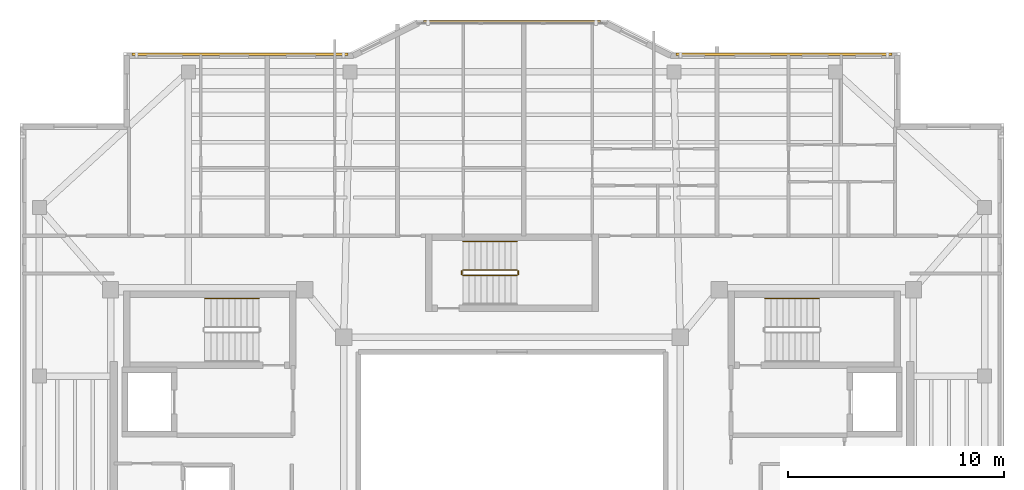
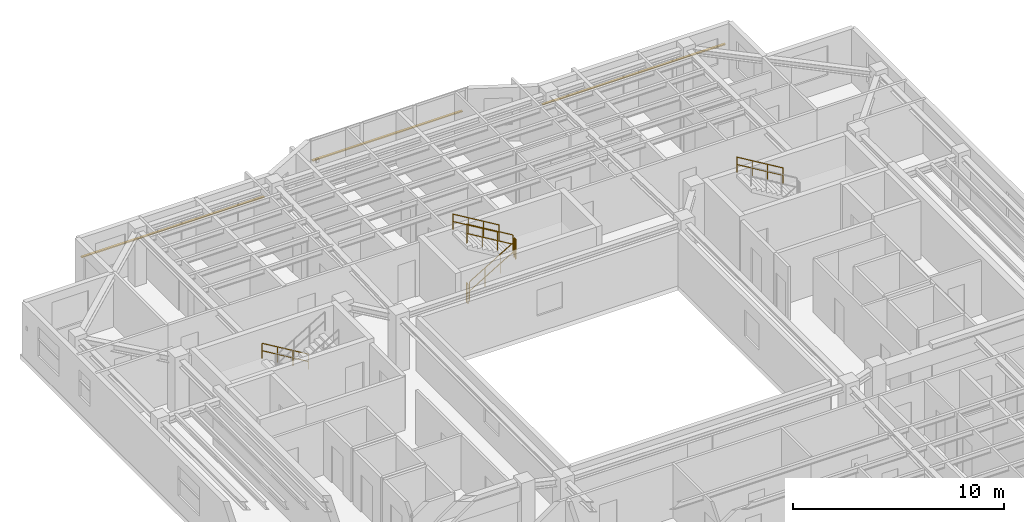
# One storey, part 14 of 14: 7 railings, 3 shading devices.
"""IFC4 building model written with IfcOpenShell, lengths in metres."""

from ifc_helpers import new_model, si_unit, direction, frame, origin, origin_2d, place, context, subcontext, project, spatial, rectangle, circle, extrude, material, material_profile, profile_set, type_object, element, save


model = new_model("IFC4")

# Units and contexts
model_context = context("Model", 3, precision=1e-05, world=origin(), true_north=direction((0.0, 1.0)))
body_context = subcontext(model_context, "Body", "Model", "MODEL_VIEW")
ifc_project = project(units=[si_unit("LENGTHUNIT", "METRE"), si_unit("AREAUNIT", "SQUARE_METRE"), si_unit("VOLUMEUNIT", "CUBIC_METRE"), si_unit("PLANEANGLEUNIT", "RADIAN"), si_unit("MASSUNIT", "GRAM", prefix="KILO")], contexts=[model_context])

# Site, building, storey
site_placement = place(None, origin())
site = spatial("IfcSite", under=ifc_project, at=site_placement, CompositionType="ELEMENT")
building_placement = place(site_placement, origin())
building = spatial("IfcBuilding", under=site, at=building_placement, Name="Tarnavaz Court Tower", CompositionType="ELEMENT")
storey_placement = place(building_placement, frame((0.0, 0.0, 261.60009765625)))
storey = spatial("IfcBuildingStorey", under=building, at=storey_placement, Name="L71", CompositionType="ELEMENT", Elevation=261.60009765625)

# Railings
ifc_material_1 = material(Name="Brushed Stainless Steel", Category="steel")
railing_type_1 = type_object("IfcRailingType", Name="RL-HANDRAIL-900", PredefinedType="HANDRAIL", material=ifc_material_1)
railing_1_placement = place(storey_placement, frame((-11.719970703125, 9.590087890625, 0.16748046875)))
element("IfcRailing", 1, at=railing_1_placement, inside=storey, type_object=railing_type_1, Name="L71 ST-W1 stair handrail 1", PredefinedType="HANDRAIL", context=body_context, shape_type="SweptSolid", body=[
    extrude(circle(Radius=0.02392578125, at=origin_2d()), frame((0.0, 0.0, 0.8759765625), z_axis=(-0.858196387827, 0.0, 0.513321497621), x_axis=(0.0, -1.0, 0.0)), (0.0, 0.0, 1.0), 2.9365234375),
    extrude(circle(Radius=0.02392578125, at=origin_2d()), frame((0.0, 0.0, 0.449951171875), z_axis=(-0.858196387827, 0.0, 0.513321497621), x_axis=(0.0, -1.0, 0.0)), (0.0, 0.0, 1.0), 2.9365234375),
    extrude(circle(Radius=0.02099609375, at=origin_2d()), origin(), (0.0, 0.0, 1.0), 0.851806640625),
    extrude(circle(Radius=0.02099609375, at=origin_2d()), frame((-0.840087890625, 0.0, 0.50244140625)), (0.0, 0.0, 1.0), 0.851806640625),
    extrude(circle(Radius=0.02099609375, at=origin_2d()), frame((-1.679931640625, 0.0, 1.0048828125)), (0.0, 0.0, 1.0), 0.851806640625),
    extrude(circle(Radius=0.02099609375, at=origin_2d()), frame((-2.52001953125, 0.0, 1.50732421875)), (0.0, 0.0, 1.0), 0.851806640625),
])
for number, where, name in (
    (2, (14.239990234375, 9.590087890625, 1.84228515625), "L71 ST-E1 stair handrail 2"),
    (3, (0.239990234375, 12.239990234375, 1.84228515625), "L71 ST-N1 stair handrail 2"),
):
    element("IfcRailing", number, at=place(storey_placement, frame(where)), inside=storey, type_object=railing_type_1, Name=name, PredefinedType="HANDRAIL", context=body_context, shape_type="SweptSolid", body=[
        extrude(circle(Radius=0.02392578125, at=origin_2d()), frame((0.0, 0.0, 0.8759765625), z_axis=(-0.858159760407, 0.0, 0.513382728203), x_axis=(0.0, -1.0, 0.0)), (0.0, 0.0, 1.0), 2.9365234375),
        extrude(circle(Radius=0.02392578125, at=origin_2d()), frame((0.0, 0.0, 0.449951171875), z_axis=(-0.858159760407, 0.0, 0.513382728203), x_axis=(0.0, -1.0, 0.0)), (0.0, 0.0, 1.0), 2.9365234375),
        extrude(circle(Radius=0.02099609375, at=origin_2d()), origin(), (0.0, 0.0, 1.0), 0.851806640625),
        extrude(circle(Radius=0.02099609375, at=origin_2d()), frame((-0.840087890625, 0.0, 0.50244140625)), (0.0, 0.0, 1.0), 0.851806640625),
        extrude(circle(Radius=0.02099609375, at=origin_2d()), frame((-1.679931640625, 0.0, 1.005126953125)), (0.0, 0.0, 1.0), 0.851806640625),
        extrude(circle(Radius=0.02099609375, at=origin_2d()), frame((-2.52001953125, 0.0, 1.507568359375)), (0.0, 0.0, 1.0), 0.851806640625),
    ])
ifc_material_2 = material(Name="Galvanized Painted Tubular Steel", Category="steel")
railing_type_2 = type_object("IfcRailingType", Name="RL-STGUARD-1120", PredefinedType="GUARDRAIL", material=ifc_material_2)
railing_2_placement = place(storey_placement, frame((-2.280029296875, 10.669921875, 0.16748046875)))
element("IfcRailing", 4, at=railing_2_placement, inside=storey, type_object=railing_type_2, Name="L71 ST-N1 stair guard 1", PredefinedType="GUARDRAIL", context=body_context, shape_type="SweptSolid", body=[
    extrude(circle(Radius=0.02392578125, at=origin_2d()), frame((0.0, 0.0, 1.09619140625), z_axis=(0.858196387827, 0.0, 0.513321497621), x_axis=(0.0, 1.0, 0.0)), (0.0, 0.0, 1.0), 2.9365234375),
    extrude(circle(Radius=0.02392578125, at=origin_2d()), frame((0.0, 0.0, 0.56005859375), z_axis=(0.858196387827, 0.0, 0.513321497621), x_axis=(0.0, 1.0, 0.0)), (0.0, 0.0, 1.0), 2.9365234375),
    extrude(circle(Radius=0.02099609375, at=origin_2d()), origin(), (0.0, 0.0, 1.0), 1.072021484375),
    extrude(circle(Radius=0.02099609375, at=origin_2d()), frame((0.840087890625, 0.0, 0.50244140625)), (0.0, 0.0, 1.0), 1.072021484375),
    extrude(circle(Radius=0.02099609375, at=origin_2d()), frame((1.679931640625, 0.0, 1.0048828125)), (0.0, 0.0, 1.0), 1.072021484375),
    extrude(circle(Radius=0.02099609375, at=origin_2d()), frame((2.52001953125, 0.0, 1.50732421875)), (0.0, 0.0, 1.0), 1.072021484375),
])
railing_3_placement = place(storey_placement, frame((0.2900390625, 10.719970703125, 1.6748046875)))
element("IfcRailing", 5, at=railing_3_placement, inside=storey, type_object=railing_type_2, Name="L71 ST-N1 stair guard 2", PredefinedType="GUARDRAIL", context=body_context, shape_type="SweptSolid", body=[
    extrude(circle(Radius=0.02392578125, at=origin_2d()), frame((0.0, 0.0, 1.09619140625), z_axis=(0.0, 1.0, 0.0), x_axis=(-1.0, 0.0, 0.0)), (0.0, 0.0, 1.0), 0.150146484375),
    extrude(circle(Radius=0.02392578125, at=origin_2d()), frame((0.0, 0.0, 0.56005859375), z_axis=(0.0, 1.0, 0.0), x_axis=(-1.0, 0.0, 0.0)), (0.0, 0.0, 1.0), 0.150146484375),
    extrude(circle(Radius=0.02099609375, at=origin_2d()), origin(), (0.0, 0.0, 1.0), 1.072021484375),
    extrude(circle(Radius=0.02099609375, at=origin_2d()), frame((0.0, 0.150146484375, 0.0)), (0.0, 0.0, 1.0), 1.072021484375),
])
railing_4_placement = place(storey_placement, frame((0.239990234375, 10.919921875, 1.84228515625)))
element("IfcRailing", 6, at=railing_4_placement, inside=storey, type_object=railing_type_2, Name="L71 ST-N1 stair guard 3", PredefinedType="GUARDRAIL", context=body_context, shape_type="SweptSolid", body=[
    extrude(circle(Radius=0.02392578125, at=origin_2d()), frame((0.0, 0.0, 1.09619140625), z_axis=(-0.858159760407, 0.0, 0.513382728203), x_axis=(0.0, -1.0, 0.0)), (0.0, 0.0, 1.0), 2.9365234375),
    extrude(circle(Radius=0.02392578125, at=origin_2d()), frame((0.0, 0.0, 0.56005859375), z_axis=(-0.858159760407, 0.0, 0.513382728203), x_axis=(0.0, -1.0, 0.0)), (0.0, 0.0, 1.0), 2.9365234375),
    extrude(circle(Radius=0.02099609375, at=origin_2d()), origin(), (0.0, 0.0, 1.0), 1.072021484375),
    extrude(circle(Radius=0.02099609375, at=origin_2d()), frame((-0.840087890625, 0.0, 0.50244140625)), (0.0, 0.0, 1.0), 1.072021484375),
    extrude(circle(Radius=0.02099609375, at=origin_2d()), frame((-1.679931640625, 0.0, 1.005126953125)), (0.0, 0.0, 1.0), 1.072021484375),
    extrude(circle(Radius=0.02099609375, at=origin_2d()), frame((-2.52001953125, 0.0, 1.507568359375)), (0.0, 0.0, 1.0), 1.072021484375),
])
railing_5_placement = place(storey_placement, frame((-2.330078125, 10.719970703125, 0.0)))
element("IfcRailing", 7, at=railing_5_placement, inside=storey, type_object=railing_type_2, Name="L71 ST-N1 stair guard 4", PredefinedType="GUARDRAIL", context=body_context, shape_type="SweptSolid", body=[
    extrude(circle(Radius=0.02392578125, at=origin_2d()), frame((0.0, 0.0, 1.09619140625), z_axis=(0.0, 1.0, 0.0), x_axis=(-1.0, 0.0, 0.0)), (0.0, 0.0, 1.0), 0.150146484375),
    extrude(circle(Radius=0.02392578125, at=origin_2d()), frame((0.0, 0.0, 0.56005859375), z_axis=(0.0, 1.0, 0.0), x_axis=(-1.0, 0.0, 0.0)), (0.0, 0.0, 1.0), 0.150146484375),
    extrude(circle(Radius=0.02099609375, at=origin_2d()), origin(), (0.0, 0.0, 1.0), 1.072021484375),
    extrude(circle(Radius=0.02099609375, at=origin_2d()), frame((0.0, 0.150146484375, 0.0)), (0.0, 0.0, 1.0), 1.072021484375),
])

# Shading devices
ifc_material_3 = material(Name="Kiln-Fired Khorasan Terracotta Ceramic", Category="masonry")
ifc_material_profile = material_profile(ifc_material_3, rectangle(XDim=0.1201171875, YDim=0.06005859375, at=origin_2d()), Name="TC BAGUETTE 120X60")
ifc_profile_set = profile_set([ifc_material_profile], Name="Kiln-Fired Khorasan Terracotta Ceramic")
shading_device_type = type_object("IfcShadingDeviceType", Name="SD-BAG-120", PredefinedType="USERDEFINED", material=ifc_profile_set)
shading_device_1_placement = place(storey_placement, frame((-17.60009765625, 20.909912109375, 1.849853515625), z_axis=(1.0, 0.0, 0.0), x_axis=(0.0, 1.0, 0.0)))
element("IfcShadingDevice", 8, at=shading_device_1_placement, inside=storey, type_object=shading_device_type, Name="L71 Terracotta Baguette Screen FBG05", ObjectType="BAGUETTE", PredefinedType="USERDEFINED", context=body_context, shape_type="SweptSolid", body=[
    extrude(rectangle(XDim=0.1201171875, YDim=0.06005859375, at=origin_2d()), origin(), (0.0, 0.0, 1.0), 10.0),
])
shading_device_2_placement = place(storey_placement, frame((-4.10009765625, 22.409912109375, 1.7998046875), z_axis=(1.0, 0.0, 0.0), x_axis=(0.0, 1.0, 0.0)))
element("IfcShadingDevice", 9, at=shading_device_2_placement, inside=storey, type_object=shading_device_type, Name="L71 Terracotta Baguette Screen PBG7", ObjectType="BAGUETTE", PredefinedType="USERDEFINED", context=body_context, shape_type="SweptSolid", body=[
    extrude(rectangle(XDim=0.1201171875, YDim=0.06005859375, at=origin_2d()), origin(), (0.0, 0.0, 1.0), 8.2001953125),
])
shading_device_3_placement = place(storey_placement, frame((7.60009765625, 20.909912109375, 1.849853515625), z_axis=(1.0, 0.0, 0.0), x_axis=(0.0, 1.0, 0.0)))
element("IfcShadingDevice", 10, at=shading_device_3_placement, inside=storey, type_object=shading_device_type, Name="L71 Terracotta Baguette Screen FBG09", ObjectType="BAGUETTE", PredefinedType="USERDEFINED", context=body_context, shape_type="SweptSolid", body=[
    extrude(rectangle(XDim=0.1201171875, YDim=0.06005859375, at=origin_2d()), origin(), (0.0, 0.0, 1.0), 10.0),
])

save(model, "model.ifc")
